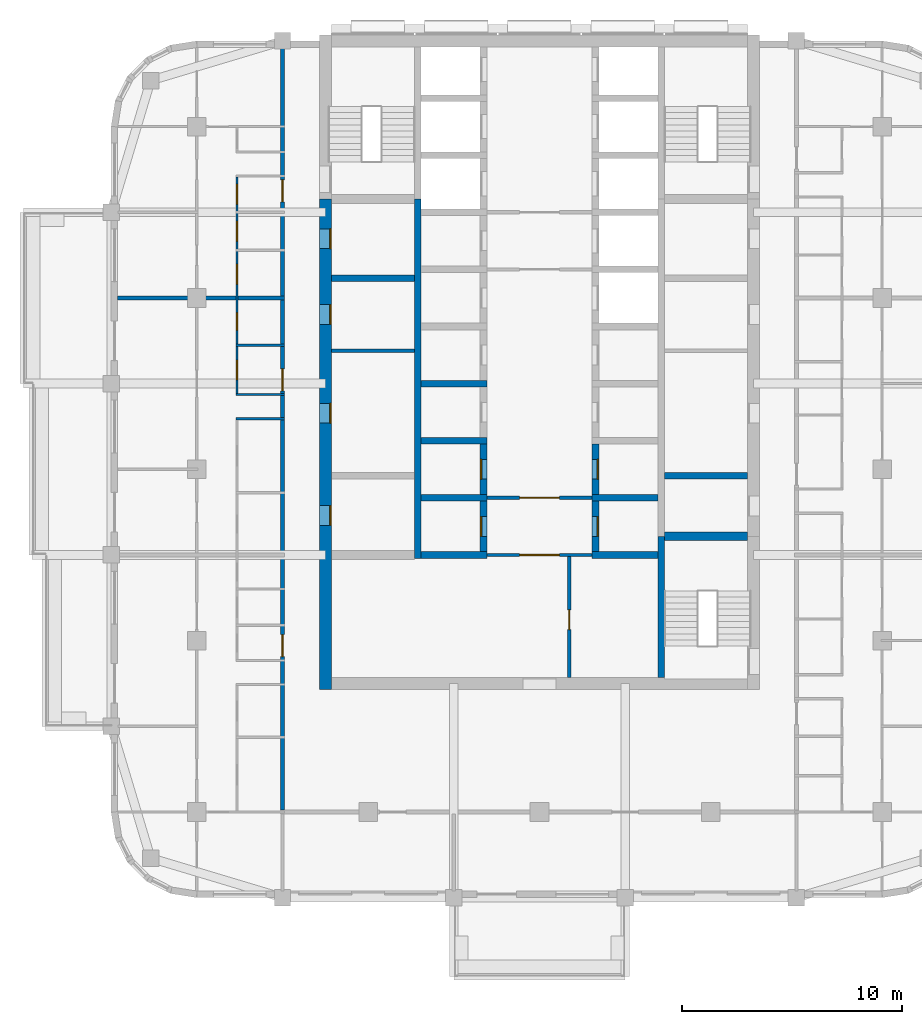
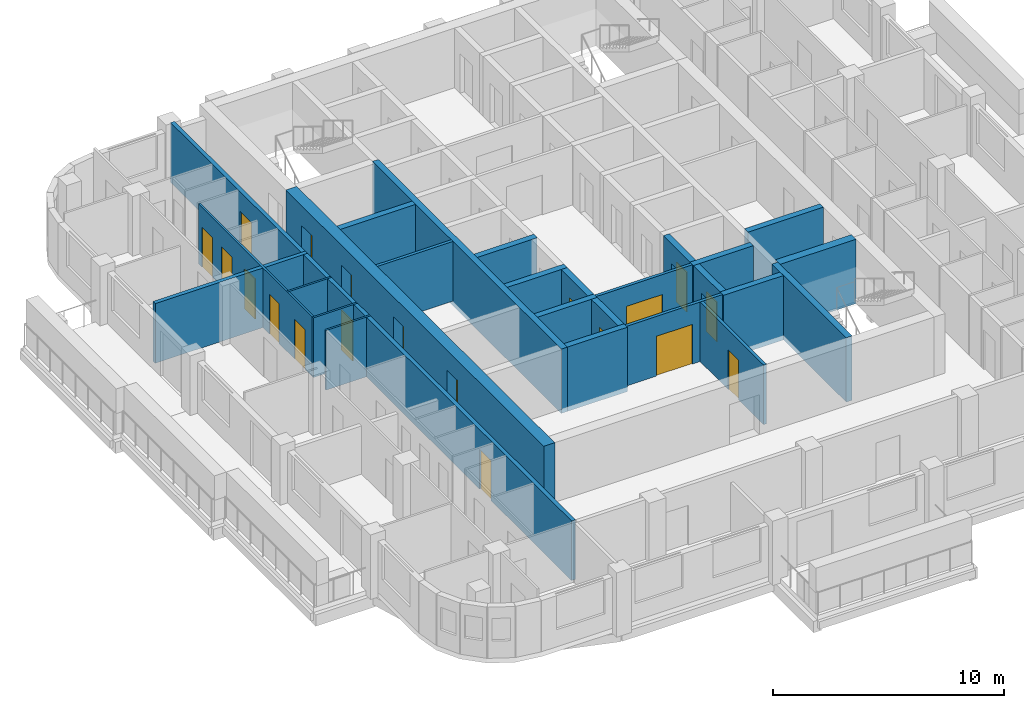
# One storey, part 4 of 13: 26 walls, 19 doors, 19 openings.
"""IFC4 building model written with IfcOpenShell, lengths in metres."""

from ifc_helpers import new_model, si_unit, direction, frame, frame_2d, origin, place, context, subcontext, project, spatial, rectangle, extrude, material, layer, layer_set, type_object, element, fill, save


model = new_model("IFC4")

# Units and contexts
model_context = context("Model", 3, precision=1e-05, world=origin(), true_north=direction((0.0, 1.0)))
body_context = subcontext(model_context, "Body", "Model", "MODEL_VIEW")
ifc_project = project(units=[si_unit("LENGTHUNIT", "METRE"), si_unit("AREAUNIT", "SQUARE_METRE"), si_unit("VOLUMEUNIT", "CUBIC_METRE"), si_unit("PLANEANGLEUNIT", "RADIAN"), si_unit("MASSUNIT", "GRAM", prefix="KILO")], contexts=[model_context])

# Site, building, storey
site_placement = place(None, origin())
site = spatial("IfcSite", under=ifc_project, at=site_placement, CompositionType="ELEMENT")
building_placement = place(site_placement, origin())
building = spatial("IfcBuilding", under=site, at=building_placement, Name="Ludao Terraces", CompositionType="ELEMENT")
storey_placement = place(building_placement, frame((0.0, 0.0, 158.800048828125)))
storey = spatial("IfcBuildingStorey", under=building, at=storey_placement, Name="L43", CompositionType="ELEMENT", Elevation=158.800048828125)

# Wall, openings, doors
ifc_material_1 = material(Name="Concrete C60", Category="concrete")
ifc_layer_1 = layer(ifc_material_1, 0.550048828125)
ifc_layer_set_1 = layer_set([ifc_layer_1], Name="Core wall 550 C60")
wall_type_1 = type_object("IfcWallType", Name="Core wall 550 C60", PredefinedType="SOLIDWALL", material=ifc_layer_set_1)
wall_1_placement = place(storey_placement, frame((75.25, 54.97509765625, -0.25), z_axis=(0.0, 0.0, 1.0), x_axis=(0.0, 1.0, 0.0)))
wall_1 = element("IfcWall", 1, at=wall_1_placement, inside=storey, type_object=wall_type_1, Name="Core wall L43 outer-W", PredefinedType="SOLIDWALL", context=body_context, shape_type="SweptSolid", body=[
    extrude(rectangle(XDim=22.324951171875, YDim=0.550048828125, at=frame_2d((11.16259765625, 0.0))), origin(), (0.0, 0.0, 1.0), 3.39990234375),
])
opening_1_placement = place(wall_1_placement, frame((7.47509765625, 0.0, 0.25)))
opening_1 = element("IfcOpeningElement", 2, at=opening_1_placement, cuts=wall_1, Name="Opening R15-032", PredefinedType="OPENING", context=body_context, shape_type="SweptSolid", body=[
    extrude(rectangle(XDim=0.89990234375, YDim=2.10009765625, at=frame_2d((0.449951171875, 1.050048828125))), frame((0.0, 0.28515625, 0.0), z_axis=(0.0, -1.0, 0.0), x_axis=(1.0, 0.0, 0.0)), (0.0, 0.0, 1.0), 0.570068359375),
])
opening_2_placement = place(wall_1_placement, frame((12.125, 0.0, 0.25)))
opening_2 = element("IfcOpeningElement", 3, at=opening_2_placement, cuts=wall_1, Name="Opening R15-042", PredefinedType="OPENING", context=body_context, shape_type="SweptSolid", body=[
    extrude(rectangle(XDim=0.89990234375, YDim=2.10009765625, at=frame_2d((0.449951171875, 1.050048828125))), frame((0.0, 0.28515625, 0.0), z_axis=(0.0, -1.0, 0.0), x_axis=(1.0, 0.0, 0.0)), (0.0, 0.0, 1.0), 0.570068359375),
])
opening_3_placement = place(wall_1_placement, frame((16.625, 0.0, 0.25)))
opening_3 = element("IfcOpeningElement", 4, at=opening_3_placement, cuts=wall_1, Name="Opening R15-055", PredefinedType="OPENING", context=body_context, shape_type="SweptSolid", body=[
    extrude(rectangle(XDim=0.89990234375, YDim=2.10009765625, at=frame_2d((0.449951171875, 1.050048828125))), frame((0.0, 0.28515625, 0.0), z_axis=(0.0, -1.0, 0.0), x_axis=(1.0, 0.0, 0.0)), (0.0, 0.0, 1.0), 0.570068359375),
])
opening_4_placement = place(wall_1_placement, frame((20.074951171875, 0.0, 0.25)))
opening_4 = element("IfcOpeningElement", 5, at=opening_4_placement, cuts=wall_1, Name="Opening R15-065", PredefinedType="OPENING", context=body_context, shape_type="SweptSolid", body=[
    extrude(rectangle(XDim=0.89990234375, YDim=2.10009765625, at=frame_2d((0.449951171875, 1.050048828125))), frame((0.0, 0.28515625, 0.0), z_axis=(0.0, -1.0, 0.0), x_axis=(1.0, 0.0, 0.0)), (0.0, 0.0, 1.0), 0.570068359375),
])
ifc_material_2 = material(Name="Steel Q235", Category="steel")
door_type_1 = type_object("IfcDoorType", Name="INT Riser door 900", OperationType="SINGLE_SWING_LEFT", PredefinedType="DOOR", material=ifc_material_2)
door_1_placement = place(opening_1_placement, origin())
door_1 = element("IfcDoor", 6, at=door_1_placement, inside=storey, type_object=door_type_1, Name="DOOR 032", OperationType="SINGLE_SWING_RIGHT", OverallHeight=2.10009765625, OverallWidth=0.89990234375, PredefinedType="DOOR", context=body_context, shape_type="SweptSolid", body=[
    extrude(rectangle(XDim=0.89990234375, YDim=2.10009765625, at=frame_2d((0.449951171875, 1.050048828125))), frame((0.0, -0.2099609375, 0.0), z_axis=(0.0, -1.0, 0.0), x_axis=(1.0, 0.0, 0.0)), (0.0, 0.0, 1.0), 0.050048828125),
])
fill(opening_1, door_1)
door_2_placement = place(opening_4_placement, origin())
door_2 = element("IfcDoor", 7, at=door_2_placement, inside=storey, type_object=door_type_1, Name="DOOR 065", OperationType="SINGLE_SWING_LEFT", OverallHeight=2.10009765625, OverallWidth=0.89990234375, PredefinedType="DOOR", context=body_context, shape_type="SweptSolid", body=[
    extrude(rectangle(XDim=0.89990234375, YDim=2.10009765625, at=frame_2d((0.449951171875, 1.050048828125))), frame((0.0, -0.2099609375, 0.0), z_axis=(0.0, -1.0, 0.0), x_axis=(1.0, 0.0, 0.0)), (0.0, 0.0, 1.0), 0.050048828125),
])
fill(opening_4, door_2)
ifc_material_3 = material(Name="Timber door leaf", Category="wood")
door_type_2 = type_object("IfcDoorType", Name="INT Room door 900", OperationType="SINGLE_SWING_LEFT", PredefinedType="DOOR", material=ifc_material_3)
door_3_placement = place(opening_2_placement, origin())
door_3 = element("IfcDoor", 8, at=door_3_placement, inside=storey, type_object=door_type_2, Name="DOOR 042", OperationType="SINGLE_SWING_RIGHT", OverallHeight=2.10009765625, OverallWidth=0.89990234375, PredefinedType="DOOR", context=body_context, shape_type="SweptSolid", body=[
    extrude(rectangle(XDim=0.89990234375, YDim=2.10009765625, at=frame_2d((0.449951171875, 1.050048828125))), frame((0.0, -0.2099609375, 0.0), z_axis=(0.0, -1.0, 0.0), x_axis=(1.0, 0.0, 0.0)), (0.0, 0.0, 1.0), 0.050048828125),
])
fill(opening_2, door_3)
door_4_placement = place(opening_3_placement, origin())
door_4 = element("IfcDoor", 9, at=door_4_placement, inside=storey, type_object=door_type_2, Name="DOOR 055", OperationType="SINGLE_SWING_LEFT", OverallHeight=2.10009765625, OverallWidth=0.89990234375, PredefinedType="DOOR", context=body_context, shape_type="SweptSolid", body=[
    extrude(rectangle(XDim=0.89990234375, YDim=2.10009765625, at=frame_2d((0.449951171875, 1.050048828125))), frame((0.0, -0.2099609375, 0.0), z_axis=(0.0, -1.0, 0.0), x_axis=(1.0, 0.0, 0.0)), (0.0, 0.0, 1.0), 0.050048828125),
])
fill(opening_3, door_4)

# Wall, opening, door
ifc_material_4 = material(Name="Fire-rated gypsum plasterboard", Category="gypsum")
ifc_layer_2 = layer(ifc_material_4, 0.012451171875, Category="gypsum")
ifc_material_5 = material(Name="Mineral wool")
ifc_layer_3 = layer(ifc_material_5, 0.10009765625, Name="insulation")
ifc_layer_4 = layer(ifc_material_2, 0.02490234375, Name="stud")
ifc_layer_5 = layer(ifc_material_4, 0.012451171875, Category="gypsum")
ifc_layer_set_2 = layer_set([ifc_layer_2, ifc_layer_3, ifc_layer_4, ifc_layer_5], Name="INT Core partition 150")
wall_type_2 = type_object("IfcWallType", Name="INT Core partition 150", PredefinedType="PARTITIONING", material=ifc_layer_set_2)
wall_2_placement = place(storey_placement, frame((82.60009765625, 61.10009765625, 0.0), z_axis=(0.0, 0.0, 1.0), x_axis=(1.0, 0.0, 0.0)))
wall_2 = element("IfcWall", 10, at=wall_2_placement, inside=storey, type_object=wall_type_2, Name="PW-L43-PW017", PredefinedType="PARTITIONING", context=body_context, shape_type="SweptSolid", body=[
    extrude(rectangle(XDim=4.800048828125, YDim=0.14990234375, at=frame_2d((2.39990234375, 0.0))), origin(), (0.0, 0.0, 1.0), 3.14990234375),
])
opening_5_placement = place(wall_2_placement, frame((1.5, 0.0, 0.0)))
opening_5 = element("IfcOpeningElement", 11, at=opening_5_placement, cuts=wall_2, Name="Opening R15-027", PredefinedType="OPENING", context=body_context, shape_type="SweptSolid", body=[
    extrude(rectangle(XDim=1.800048828125, YDim=2.10009765625, at=frame_2d((0.89990234375, 1.050048828125))), frame((0.0, 0.0849609375, 0.0), z_axis=(0.0, -1.0, 0.0), x_axis=(1.0, 0.0, 0.0)), (0.0, 0.0, 1.0), 0.169921875),
])
door_type_3 = type_object("IfcDoorType", Name="INT Fire lobby door 1800", OperationType="DOUBLE_DOOR_SINGLE_SWING", PredefinedType="DOOR", material=ifc_material_2)
door_5_placement = place(opening_5_placement, origin())
door_5 = element("IfcDoor", 12, at=door_5_placement, inside=storey, type_object=door_type_3, Name="DOOR 027", OperationType="DOUBLE_DOOR_SINGLE_SWING", OverallHeight=2.10009765625, OverallWidth=1.800048828125, PredefinedType="DOOR", context=body_context, shape_type="SweptSolid", body=[
    extrude(rectangle(XDim=1.800048828125, YDim=2.10009765625, at=frame_2d((0.89990234375, 1.050048828125))), frame((0.0, 0.02490234375, 0.0), z_axis=(0.0, -1.0, 0.0), x_axis=(1.0, 0.0, 0.0)), (0.0, 0.0, 1.0), 0.050048828125),
])
fill(opening_5, door_5)

wall_3_placement = place(storey_placement, frame((82.60009765625, 63.699951171875, 0.0), z_axis=(0.0, 0.0, 1.0), x_axis=(1.0, 0.0, 0.0)))
wall_3 = element("IfcWall", 13, at=wall_3_placement, inside=storey, type_object=wall_type_2, Name="PW-L43-PW020", PredefinedType="PARTITIONING", context=body_context, shape_type="SweptSolid", body=[
    extrude(rectangle(XDim=4.800048828125, YDim=0.14990234375, at=frame_2d((2.39990234375, 0.0))), origin(), (0.0, 0.0, 1.0), 3.14990234375),
])
opening_6_placement = place(wall_3_placement, frame((1.5, 0.0, 0.0)))
opening_6 = element("IfcOpeningElement", 14, at=opening_6_placement, cuts=wall_3, Name="Opening R15-035", PredefinedType="OPENING", context=body_context, shape_type="SweptSolid", body=[
    extrude(rectangle(XDim=1.800048828125, YDim=2.10009765625, at=frame_2d((0.89990234375, 1.050048828125))), frame((0.0, 0.0849609375, 0.0), z_axis=(0.0, -1.0, 0.0), x_axis=(1.0, 0.0, 0.0)), (0.0, 0.0, 1.0), 0.169921875),
])
door_6_placement = place(opening_6_placement, origin())
door_6 = element("IfcDoor", 15, at=door_6_placement, inside=storey, type_object=door_type_3, Name="DOOR 035", OperationType="DOUBLE_DOOR_SINGLE_SWING", OverallHeight=2.10009765625, OverallWidth=1.800048828125, PredefinedType="DOOR", context=body_context, shape_type="SweptSolid", body=[
    extrude(rectangle(XDim=1.800048828125, YDim=2.10009765625, at=frame_2d((0.89990234375, 1.050048828125))), frame((0.0, 0.02490234375, 0.0), z_axis=(0.0, -1.0, 0.0), x_axis=(1.0, 0.0, 0.0)), (0.0, 0.0, 1.0), 0.050048828125),
])
fill(opening_6, door_6)

# Wall
wall_4_placement = place(storey_placement, frame((75.525146484375, 70.39990234375, 0.0), z_axis=(0.0, 0.0, 1.0), x_axis=(1.0, 0.0, 0.0)))
element("IfcWall", 16, at=wall_4_placement, inside=storey, type_object=wall_type_2, Name="PW-L43-PW029", PredefinedType="PARTITIONING", context=body_context, shape_type="SweptSolid", body=[
    extrude(rectangle(XDim=3.77490234375, YDim=0.14990234375, at=frame_2d((1.887451171875, 0.0))), origin(), (0.0, 0.0, 1.0), 3.14990234375),
])

# Wall, opening, door
wall_5_placement = place(storey_placement, frame((86.35009765625, 55.525146484375, 0.0), z_axis=(0.0, 0.0, 1.0), x_axis=(0.0, 1.0, 0.0)))
wall_5 = element("IfcWall", 17, at=wall_5_placement, inside=storey, type_object=wall_type_2, Name="PW-L43-PW054", PredefinedType="PARTITIONING", context=body_context, shape_type="SweptSolid", body=[
    extrude(rectangle(XDim=5.5, YDim=0.14990234375, at=frame_2d((2.75, 0.0))), origin(), (0.0, 0.0, 1.0), 3.14990234375),
])
opening_7_placement = place(wall_5_placement, frame((2.175048828125, 0.0, 0.0)))
opening_7 = element("IfcOpeningElement", 18, at=opening_7_placement, cuts=wall_5, Name="Opening R15-021", PredefinedType="OPENING", context=body_context, shape_type="SweptSolid", body=[
    extrude(rectangle(XDim=0.89990234375, YDim=2.10009765625, at=frame_2d((0.449951171875, 1.050048828125))), frame((0.0, 0.0849609375, 0.0), z_axis=(0.0, -1.0, 0.0), x_axis=(1.0, 0.0, 0.0)), (0.0, 0.0, 1.0), 0.169921875),
])
door_7_placement = place(opening_7_placement, origin())
door_7 = element("IfcDoor", 19, at=door_7_placement, inside=storey, type_object=door_type_2, Name="DOOR 021", OperationType="SINGLE_SWING_RIGHT", OverallHeight=2.10009765625, OverallWidth=0.89990234375, PredefinedType="DOOR", context=body_context, shape_type="SweptSolid", body=[
    extrude(rectangle(XDim=0.89990234375, YDim=2.10009765625, at=frame_2d((0.449951171875, 1.050048828125))), frame((0.0, 0.02490234375, 0.0), z_axis=(0.0, -1.0, 0.0), x_axis=(1.0, 0.0, 0.0)), (0.0, 0.0, 1.0), 0.050048828125),
])
fill(opening_7, door_7)

# Wall, openings, doors
ifc_material_6 = material(Name="Autoclaved aerated concrete block B06 A3.5", Category="concrete")
ifc_layer_6 = layer(ifc_material_6, 0.199951171875)
ifc_layer_set_3 = layer_set([ifc_layer_6], Name="INT Entrance wall 200")
wall_type_3 = type_object("IfcWallType", Name="INT Entrance wall 200", PredefinedType="PARTITIONING", material=ifc_layer_set_3)
wall_6_placement = place(storey_placement, frame((73.300048828125, 49.5, 0.0), z_axis=(0.0, 0.0, 1.0), x_axis=(0.0, 1.0, 0.0)))
wall_6 = element("IfcWall", 20, at=wall_6_placement, inside=storey, type_object=wall_type_3, Name="PW-L43-PW052", PredefinedType="PARTITIONING", context=body_context, shape_type="SweptSolid", body=[
    extrude(rectangle(XDim=34.7001953125, YDim=0.199951171875, at=frame_2d((17.35009765625, 0.0))), origin(), (0.0, 0.0, 1.0), 3.14990234375),
])
opening_8_placement = place(wall_6_placement, frame((6.97509765625, 0.0, 0.0)))
opening_8 = element("IfcOpeningElement", 21, at=opening_8_placement, cuts=wall_6, Name="Opening R15-019", PredefinedType="OPENING", context=body_context, shape_type="SweptSolid", body=[
    extrude(rectangle(XDim=1.0, YDim=2.10009765625, at=frame_2d((0.5, 1.050048828125))), frame((0.0, 0.10986328125, 0.0), z_axis=(0.0, -1.0, 0.0), x_axis=(1.0, 0.0, 0.0)), (0.0, 0.0, 1.0), 0.219970703125),
])
opening_9_placement = place(wall_6_placement, frame((19.0751953125, 0.0, 0.0)))
opening_9 = element("IfcOpeningElement", 22, at=opening_9_placement, cuts=wall_6, Name="Opening R15-048", PredefinedType="OPENING", context=body_context, shape_type="SweptSolid", body=[
    extrude(rectangle(XDim=1.0, YDim=2.10009765625, at=frame_2d((0.5, 1.050048828125))), frame((0.0, 0.10986328125, 0.0), z_axis=(0.0, -1.0, 0.0), x_axis=(1.0, 0.0, 0.0)), (0.0, 0.0, 1.0), 0.219970703125),
])
opening_10_placement = place(wall_6_placement, frame((27.675048828125, 0.0, 0.0)))
opening_10 = element("IfcOpeningElement", 23, at=opening_10_placement, cuts=wall_6, Name="Opening R15-072", PredefinedType="OPENING", context=body_context, shape_type="SweptSolid", body=[
    extrude(rectangle(XDim=1.0, YDim=2.10009765625, at=frame_2d((0.5, 1.050048828125))), frame((0.0, 0.10986328125, 0.0), z_axis=(0.0, -1.0, 0.0), x_axis=(1.0, 0.0, 0.0)), (0.0, 0.0, 1.0), 0.219970703125),
])
door_type_4 = type_object("IfcDoorType", Name="INT Flat entrance door 1000", OperationType="SINGLE_SWING_LEFT", PredefinedType="DOOR", material=ifc_material_2)
door_8_placement = place(opening_8_placement, origin())
door_8 = element("IfcDoor", 24, at=door_8_placement, inside=storey, type_object=door_type_4, Name="DOOR 019", OperationType="SINGLE_SWING_RIGHT", OverallHeight=2.10009765625, OverallWidth=1.0, PredefinedType="DOOR", context=body_context, shape_type="SweptSolid", body=[
    extrude(rectangle(XDim=1.0, YDim=2.10009765625, at=frame_2d((0.5, 1.050048828125))), frame((0.0, 0.02490234375, 0.0), z_axis=(0.0, -1.0, 0.0), x_axis=(1.0, 0.0, 0.0)), (0.0, 0.0, 1.0), 0.050048828125),
])
fill(opening_8, door_8)
door_9_placement = place(opening_9_placement, origin())
door_9 = element("IfcDoor", 25, at=door_9_placement, inside=storey, type_object=door_type_4, Name="DOOR 048", OperationType="SINGLE_SWING_RIGHT", OverallHeight=2.10009765625, OverallWidth=1.0, PredefinedType="DOOR", context=body_context, shape_type="SweptSolid", body=[
    extrude(rectangle(XDim=1.0, YDim=2.10009765625, at=frame_2d((0.5, 1.050048828125))), frame((0.0, 0.02490234375, 0.0), z_axis=(0.0, -1.0, 0.0), x_axis=(1.0, 0.0, 0.0)), (0.0, 0.0, 1.0), 0.050048828125),
])
fill(opening_9, door_9)
door_10_placement = place(opening_10_placement, origin())
door_10 = element("IfcDoor", 26, at=door_10_placement, inside=storey, type_object=door_type_4, Name="DOOR 072", OperationType="SINGLE_SWING_LEFT", OverallHeight=2.10009765625, OverallWidth=1.0, PredefinedType="DOOR", context=body_context, shape_type="SweptSolid", body=[
    extrude(rectangle(XDim=1.0, YDim=2.10009765625, at=frame_2d((0.5, 1.050048828125))), frame((0.0, 0.02490234375, 0.0), z_axis=(0.0, -1.0, 0.0), x_axis=(1.0, 0.0, 0.0)), (0.0, 0.0, 1.0), 0.050048828125),
])
fill(opening_10, door_10)

# Walls
ifc_material_7 = material(Name="Gypsum plasterboard", Category="gypsum")
ifc_layer_7 = layer(ifc_material_7, 0.012451171875, Category="gypsum")
ifc_layer_8 = layer(ifc_material_5, 0.06005859375, Name="insulation")
ifc_layer_9 = layer(ifc_material_2, 0.014892578125, Name="stud")
ifc_layer_10 = layer(ifc_material_7, 0.012451171875, Category="gypsum")
ifc_layer_set_4 = layer_set([ifc_layer_7, ifc_layer_8, ifc_layer_9, ifc_layer_10], Name="INT Partition 100")
wall_type_4 = type_object("IfcWallType", Name="INT Partition 100", PredefinedType="PARTITIONING", material=ifc_layer_set_4)
for number, where, z_axis, x_axis, name in (
    (27, (71.18017578125, 67.300048828125, 0.0), (0.0, 0.0, 1.0), (1.0, 0.0, 0.0), "PW-L43-PW024"),
    (28, (71.18017578125, 68.39990234375, 0.0), (0.0, 0.0, 1.0), (1.0, 0.0, 0.0), "PW-L43-PW026"),
    (29, (71.18017578125, 70.64990234375, 0.0), (0.0, 0.0, 1.0), (1.0, 0.0, 0.0), "PW-L43-PW031"),
):
    element("IfcWall", number, at=place(storey_placement, frame(where, z_axis=z_axis, x_axis=x_axis)), inside=storey, type_object=wall_type_4, Name=name, PredefinedType="PARTITIONING", context=body_context, shape_type="SweptSolid", body=[
        extrude(rectangle(XDim=2.219970703125, YDim=0.10009765625, at=frame_2d((1.10986328125, 0.0))), origin(), (0.0, 0.0, 1.0), 3.14990234375),
    ])

# Wall, openings, doors
wall_7_placement = place(storey_placement, frame((71.22998046875, 68.4501953125, 0.0), z_axis=(0.0, 0.0, 1.0), x_axis=(0.0, 1.0, 0.0)))
wall_7 = element("IfcWall", 30, at=wall_7_placement, inside=storey, type_object=wall_type_4, Name="PW-L43-PW049", PredefinedType="PARTITIONING", context=body_context, shape_type="SweptSolid", body=[
    extrude(rectangle(XDim=9.849853515625, YDim=0.10009765625, at=frame_2d((4.9248046875, 0.0))), origin(), (0.0, 0.0, 1.0), 3.14990234375),
])
opening_11_placement = place(wall_7_placement, frame((0.625, 0.0, 0.0)))
opening_11 = element("IfcOpeningElement", 31, at=opening_11_placement, cuts=wall_7, Name="Opening R15-049", PredefinedType="OPENING", context=body_context, shape_type="SweptSolid", body=[
    extrude(rectangle(XDim=0.89990234375, YDim=2.10009765625, at=frame_2d((0.449951171875, 1.050048828125))), frame((0.0, 0.06005859375, 0.0), z_axis=(0.0, -1.0, 0.0), x_axis=(1.0, 0.0, 0.0)), (0.0, 0.0, 1.0), 0.1201171875),
])
opening_12_placement = place(wall_7_placement, frame((2.875, 0.0, 0.0)))
opening_12 = element("IfcOpeningElement", 32, at=opening_12_placement, cuts=wall_7, Name="Opening R15-054", PredefinedType="OPENING", context=body_context, shape_type="SweptSolid", body=[
    extrude(rectangle(XDim=0.800048828125, YDim=2.10009765625, at=frame_2d((0.39990234375, 1.050048828125))), frame((0.0, 0.06005859375, 0.0), z_axis=(0.0, -1.0, 0.0), x_axis=(1.0, 0.0, 0.0)), (0.0, 0.0, 1.0), 0.1201171875),
])
opening_13_placement = place(wall_7_placement, frame((4.98486328125, 0.0, 0.0)))
opening_13 = element("IfcOpeningElement", 33, at=opening_13_placement, cuts=wall_7, Name="Opening R15-060", PredefinedType="OPENING", context=body_context, shape_type="SweptSolid", body=[
    extrude(rectangle(XDim=0.89990234375, YDim=2.10009765625, at=frame_2d((0.449951171875, 1.050048828125))), frame((0.0, 0.06005859375, 0.0), z_axis=(0.0, -1.0, 0.0), x_axis=(1.0, 0.0, 0.0)), (0.0, 0.0, 1.0), 0.1201171875),
])
opening_14_placement = place(wall_7_placement, frame((6.934814453125, 0.0, 0.0)))
opening_14 = element("IfcOpeningElement", 34, at=opening_14_placement, cuts=wall_7, Name="Opening R15-067", PredefinedType="OPENING", context=body_context, shape_type="SweptSolid", body=[
    extrude(rectangle(XDim=0.89990234375, YDim=2.10009765625, at=frame_2d((0.449951171875, 1.050048828125))), frame((0.0, 0.06005859375, 0.0), z_axis=(0.0, -1.0, 0.0), x_axis=(1.0, 0.0, 0.0)), (0.0, 0.0, 1.0), 0.1201171875),
])
opening_15_placement = place(wall_7_placement, frame((8.625, 0.0, 0.0)))
opening_15 = element("IfcOpeningElement", 35, at=opening_15_placement, cuts=wall_7, Name="Opening R15-071", PredefinedType="OPENING", context=body_context, shape_type="SweptSolid", body=[
    extrude(rectangle(XDim=0.89990234375, YDim=2.10009765625, at=frame_2d((0.449951171875, 1.050048828125))), frame((0.0, 0.06005859375, 0.0), z_axis=(0.0, -1.0, 0.0), x_axis=(1.0, 0.0, 0.0)), (0.0, 0.0, 1.0), 0.1201171875),
])
door_type_5 = type_object("IfcDoorType", Name="INT Bathroom door 900", OperationType="SINGLE_SWING_LEFT", PredefinedType="DOOR", material=ifc_material_3)
door_11_placement = place(opening_11_placement, origin())
door_11 = element("IfcDoor", 36, at=door_11_placement, inside=storey, type_object=door_type_5, Name="DOOR 049", OperationType="SINGLE_SWING_RIGHT", OverallHeight=2.10009765625, OverallWidth=0.89990234375, PredefinedType="DOOR", context=body_context, shape_type="SweptSolid", body=[
    extrude(rectangle(XDim=0.89990234375, YDim=2.10009765625, at=frame_2d((0.449951171875, 1.050048828125))), frame((0.0, 0.02490234375, 0.0), z_axis=(0.0, -1.0, 0.0), x_axis=(1.0, 0.0, 0.0)), (0.0, 0.0, 1.0), 0.050048828125),
])
fill(opening_11, door_11)
door_12_placement = place(opening_14_placement, origin())
door_12 = element("IfcDoor", 37, at=door_12_placement, inside=storey, type_object=door_type_5, Name="DOOR 067", OperationType="SINGLE_SWING_LEFT", OverallHeight=2.10009765625, OverallWidth=0.89990234375, PredefinedType="DOOR", context=body_context, shape_type="SweptSolid", body=[
    extrude(rectangle(XDim=0.89990234375, YDim=2.10009765625, at=frame_2d((0.449951171875, 1.050048828125))), frame((0.0, 0.02490234375, 0.0), z_axis=(0.0, -1.0, 0.0), x_axis=(1.0, 0.0, 0.0)), (0.0, 0.0, 1.0), 0.050048828125),
])
fill(opening_14, door_12)
door_13_placement = place(opening_15_placement, origin())
door_13 = element("IfcDoor", 38, at=door_13_placement, inside=storey, type_object=door_type_5, Name="DOOR 071", OperationType="SINGLE_SWING_LEFT", OverallHeight=2.10009765625, OverallWidth=0.89990234375, PredefinedType="DOOR", context=body_context, shape_type="SweptSolid", body=[
    extrude(rectangle(XDim=0.89990234375, YDim=2.10009765625, at=frame_2d((0.449951171875, 1.050048828125))), frame((0.0, 0.02490234375, 0.0), z_axis=(0.0, -1.0, 0.0), x_axis=(1.0, 0.0, 0.0)), (0.0, 0.0, 1.0), 0.050048828125),
])
fill(opening_15, door_13)
door_14_placement = place(opening_13_placement, origin())
door_14 = element("IfcDoor", 39, at=door_14_placement, inside=storey, type_object=door_type_2, Name="DOOR 060", OperationType="SINGLE_SWING_RIGHT", OverallHeight=2.10009765625, OverallWidth=0.89990234375, PredefinedType="DOOR", context=body_context, shape_type="SweptSolid", body=[
    extrude(rectangle(XDim=0.89990234375, YDim=2.10009765625, at=frame_2d((0.449951171875, 1.050048828125))), frame((0.0, 0.02490234375, 0.0), z_axis=(0.0, -1.0, 0.0), x_axis=(1.0, 0.0, 0.0)), (0.0, 0.0, 1.0), 0.050048828125),
])
fill(opening_13, door_14)
door_type_6 = type_object("IfcDoorType", Name="INT Store door 800", OperationType="SINGLE_SWING_LEFT", PredefinedType="DOOR", material=ifc_material_3)
door_15_placement = place(opening_12_placement, origin())
door_15 = element("IfcDoor", 40, at=door_15_placement, inside=storey, type_object=door_type_6, Name="DOOR 054", OperationType="SINGLE_SWING_LEFT", OverallHeight=2.10009765625, OverallWidth=0.800048828125, PredefinedType="DOOR", context=body_context, shape_type="SweptSolid", body=[
    extrude(rectangle(XDim=0.800048828125, YDim=2.10009765625, at=frame_2d((0.39990234375, 1.050048828125))), frame((0.0, 0.02490234375, 0.0), z_axis=(0.0, -1.0, 0.0), x_axis=(1.0, 0.0, 0.0)), (0.0, 0.0, 1.0), 0.050048828125),
])
fill(opening_12, door_15)

# Walls
ifc_layer_11 = layer(ifc_material_6, 0.199951171875)
ifc_layer_set_5 = layer_set([ifc_layer_11], Name="INT Party wall 200")
wall_type_5 = type_object("IfcWallType", Name="INT Party wall 200", PredefinedType="PARTITIONING", material=ifc_layer_set_5)
wall_8_placement = place(storey_placement, frame((65.800048828125, 72.800048828125, 0.0), z_axis=(0.0, 0.0, 1.0), x_axis=(1.0, 0.0, 0.0)))
element("IfcWall", 41, at=wall_8_placement, inside=storey, type_object=wall_type_5, Name="PW-L43-PW032", PredefinedType="PARTITIONING", context=body_context, shape_type="SweptSolid", body=[
    extrude(rectangle(XDim=7.60009765625, YDim=0.199951171875, at=frame_2d((3.800048828125, 0.0))), origin(), (0.0, 0.0, 1.0), 3.14990234375),
])
ifc_material_8 = material(Name="Concrete C55", Category="concrete")
ifc_layer_12 = layer(ifc_material_8, 0.300048828125)
ifc_layer_set_6 = layer_set([ifc_layer_12], Name="Shaft wall 300 C55")
wall_type_6 = type_object("IfcWallType", Name="Shaft wall 300 C55", PredefinedType="SOLIDWALL", material=ifc_layer_set_6)
wall_9_placement = place(storey_placement, frame((79.449951171875, 60.949951171875, -0.25), z_axis=(0.0, 0.0, 1.0), x_axis=(0.0, 1.0, 0.0)))
element("IfcWall", 42, at=wall_9_placement, inside=storey, type_object=wall_type_6, Name="Core wall L43 back-W", PredefinedType="SOLIDWALL", context=body_context, shape_type="SweptSolid", body=[
    extrude(rectangle(XDim=16.35009765625, YDim=0.300048828125, at=frame_2d((8.175048828125, 0.0))), origin(), (0.0, 0.0, 1.0), 3.39990234375),
])
wall_10_placement = place(storey_placement, frame((90.550048828125, 55.52490234375, -0.25), z_axis=(0.0, 0.0, 1.0), x_axis=(0.0, 1.0, 0.0)))
element("IfcWall", 43, at=wall_10_placement, inside=storey, type_object=wall_type_6, Name="Core wall L43 back-E-S3", PredefinedType="SOLIDWALL", context=body_context, shape_type="SweptSolid", body=[
    extrude(rectangle(XDim=6.425048828125, YDim=0.300048828125, at=frame_2d((3.21240234375, 0.0))), origin(), (0.0, 0.0, 1.0), 3.39990234375),
])
wall_11_placement = place(storey_placement, frame((79.60009765625, 61.10009765625, -0.25), z_axis=(0.0, 0.0, 1.0), x_axis=(1.0, 0.0, 0.0)))
element("IfcWall", 44, at=wall_11_placement, inside=storey, type_object=wall_type_6, Name="Core wall L43 div-W1", PredefinedType="SOLIDWALL", context=body_context, shape_type="SweptSolid", body=[
    extrude(rectangle(XDim=3.0, YDim=0.300048828125, at=frame_2d((1.5, 0.0))), origin(), (0.0, 0.0, 1.0), 3.39990234375),
])

# Wall, opening, door
wall_12_placement = place(storey_placement, frame((82.449951171875, 61.25, -0.25), z_axis=(0.0, 0.0, 1.0), x_axis=(0.0, 1.0, 0.0)))
wall_12 = element("IfcWall", 45, at=wall_12_placement, inside=storey, type_object=wall_type_6, Name="Core wall L43 front-W1", PredefinedType="SOLIDWALL", context=body_context, shape_type="SweptSolid", body=[
    extrude(rectangle(XDim=2.300048828125, YDim=0.300048828125, at=frame_2d((1.14990234375, 0.0))), origin(), (0.0, 0.0, 1.0), 3.39990234375),
])
opening_16_placement = place(wall_12_placement, frame((0.699951171875, 0.0, 0.25)))
opening_16 = element("IfcOpeningElement", 46, at=opening_16_placement, cuts=wall_12, Name="Opening R15-029", PredefinedType="OPENING", context=body_context, shape_type="SweptSolid", body=[
    extrude(rectangle(XDim=0.89990234375, YDim=2.10009765625, at=frame_2d((0.449951171875, 1.050048828125))), frame((0.0, 0.16015625, 0.0), z_axis=(0.0, -1.0, 0.0), x_axis=(1.0, 0.0, 0.0)), (0.0, 0.0, 1.0), 0.320068359375),
])
door_16_placement = place(opening_16_placement, origin())
door_16 = element("IfcDoor", 47, at=door_16_placement, inside=storey, type_object=door_type_2, Name="DOOR 029", OperationType="SINGLE_SWING_LEFT", OverallHeight=2.10009765625, OverallWidth=0.89990234375, PredefinedType="DOOR", context=body_context, shape_type="SweptSolid", body=[
    extrude(rectangle(XDim=0.89990234375, YDim=2.10009765625, at=frame_2d((0.449951171875, 1.050048828125))), frame((0.0, 0.13525390625, 0.0), z_axis=(0.0, -1.0, 0.0), x_axis=(1.0, 0.0, 0.0)), (0.0, 0.0, 1.0), 0.050048828125),
])
fill(opening_16, door_16)

# Wall
wall_13_placement = place(storey_placement, frame((79.60009765625, 63.699951171875, -0.25), z_axis=(0.0, 0.0, 1.0), x_axis=(1.0, 0.0, 0.0)))
element("IfcWall", 48, at=wall_13_placement, inside=storey, type_object=wall_type_6, Name="Core wall L43 div-W2", PredefinedType="SOLIDWALL", context=body_context, shape_type="SweptSolid", body=[
    extrude(rectangle(XDim=3.0, YDim=0.300048828125, at=frame_2d((1.5, 0.0))), origin(), (0.0, 0.0, 1.0), 3.39990234375),
])

# Wall, opening, door
wall_14_placement = place(storey_placement, frame((82.449951171875, 63.85009765625, -0.25), z_axis=(0.0, 0.0, 1.0), x_axis=(0.0, 1.0, 0.0)))
wall_14 = element("IfcWall", 49, at=wall_14_placement, inside=storey, type_object=wall_type_6, Name="Core wall L43 front-W2", PredefinedType="SOLIDWALL", context=body_context, shape_type="SweptSolid", body=[
    extrude(rectangle(XDim=2.2998046875, YDim=0.300048828125, at=frame_2d((1.14990234375, 0.0))), origin(), (0.0, 0.0, 1.0), 3.39990234375),
])
opening_17_placement = place(wall_14_placement, frame((0.699951171875, 0.0, 0.25)))
opening_17 = element("IfcOpeningElement", 50, at=opening_17_placement, cuts=wall_14, Name="Opening R15-037", PredefinedType="OPENING", context=body_context, shape_type="SweptSolid", body=[
    extrude(rectangle(XDim=0.89990234375, YDim=2.10009765625, at=frame_2d((0.449951171875, 1.050048828125))), frame((0.0, 0.16015625, 0.0), z_axis=(0.0, -1.0, 0.0), x_axis=(1.0, 0.0, 0.0)), (0.0, 0.0, 1.0), 0.320068359375),
])
door_17_placement = place(opening_17_placement, origin())
door_17 = element("IfcDoor", 51, at=door_17_placement, inside=storey, type_object=door_type_2, Name="DOOR 037", OperationType="SINGLE_SWING_LEFT", OverallHeight=2.10009765625, OverallWidth=0.89990234375, PredefinedType="DOOR", context=body_context, shape_type="SweptSolid", body=[
    extrude(rectangle(XDim=0.89990234375, YDim=2.10009765625, at=frame_2d((0.449951171875, 1.050048828125))), frame((0.0, 0.13525390625, 0.0), z_axis=(0.0, -1.0, 0.0), x_axis=(1.0, 0.0, 0.0)), (0.0, 0.0, 1.0), 0.050048828125),
])
fill(opening_17, door_17)

# Walls
for number, where, z_axis, x_axis, name in (
    (52, (79.60009765625, 66.300048828125, -0.25), (0.0, 0.0, 1.0), (1.0, 0.0, 0.0), "Core wall L43 div-W3"),
    (53, (79.60009765625, 68.89990234375, -0.25), (0.0, 0.0, 1.0), (1.0, 0.0, 0.0), "Core wall L43 div-W4"),
    (54, (87.39990234375, 61.10009765625, -0.25), (0.0, 0.0, 1.0), (1.0, 0.0, 0.0), "Core wall L43 div-E1"),
):
    element("IfcWall", number, at=place(storey_placement, frame(where, z_axis=z_axis, x_axis=x_axis)), inside=storey, type_object=wall_type_6, Name=name, PredefinedType="SOLIDWALL", context=body_context, shape_type="SweptSolid", body=[
        extrude(rectangle(XDim=3.0, YDim=0.300048828125, at=frame_2d((1.5, 0.0))), origin(), (0.0, 0.0, 1.0), 3.39990234375),
    ])

# Wall, opening, door
wall_15_placement = place(storey_placement, frame((87.550048828125, 61.25, -0.25), z_axis=(0.0, 0.0, 1.0), x_axis=(0.0, 1.0, 0.0)))
wall_15 = element("IfcWall", 55, at=wall_15_placement, inside=storey, type_object=wall_type_6, Name="Core wall L43 front-E1", PredefinedType="SOLIDWALL", context=body_context, shape_type="SweptSolid", body=[
    extrude(rectangle(XDim=2.300048828125, YDim=0.300048828125, at=frame_2d((1.14990234375, 0.0))), origin(), (0.0, 0.0, 1.0), 3.39990234375),
])
opening_18_placement = place(wall_15_placement, frame((0.699951171875, 0.0, 0.25)))
opening_18 = element("IfcOpeningElement", 56, at=opening_18_placement, cuts=wall_15, Name="Opening R15-030", PredefinedType="OPENING", context=body_context, shape_type="SweptSolid", body=[
    extrude(rectangle(XDim=0.89990234375, YDim=2.10009765625, at=frame_2d((0.449951171875, 1.050048828125))), frame((0.0, 0.16015625, 0.0), z_axis=(0.0, -1.0, 0.0), x_axis=(1.0, 0.0, 0.0)), (0.0, 0.0, 1.0), 0.320068359375),
])
door_18_placement = place(opening_18_placement, origin())
door_18 = element("IfcDoor", 57, at=door_18_placement, inside=storey, type_object=door_type_2, Name="DOOR 030", OperationType="SINGLE_SWING_RIGHT", OverallHeight=2.10009765625, OverallWidth=0.89990234375, PredefinedType="DOOR", context=body_context, shape_type="SweptSolid", body=[
    extrude(rectangle(XDim=0.89990234375, YDim=2.10009765625, at=frame_2d((0.449951171875, 1.050048828125))), frame((0.0, -0.0849609375, 0.0), z_axis=(0.0, -1.0, 0.0), x_axis=(1.0, 0.0, 0.0)), (0.0, 0.0, 1.0), 0.050048828125),
])
fill(opening_18, door_18)

# Wall
wall_16_placement = place(storey_placement, frame((87.39990234375, 63.699951171875, -0.25), z_axis=(0.0, 0.0, 1.0), x_axis=(1.0, 0.0, 0.0)))
element("IfcWall", 58, at=wall_16_placement, inside=storey, type_object=wall_type_6, Name="Core wall L43 div-E2", PredefinedType="SOLIDWALL", context=body_context, shape_type="SweptSolid", body=[
    extrude(rectangle(XDim=3.0, YDim=0.300048828125, at=frame_2d((1.5, 0.0))), origin(), (0.0, 0.0, 1.0), 3.39990234375),
])

# Wall, opening, door
wall_17_placement = place(storey_placement, frame((87.550048828125, 63.85009765625, -0.25), z_axis=(0.0, 0.0, 1.0), x_axis=(0.0, 1.0, 0.0)))
wall_17 = element("IfcWall", 59, at=wall_17_placement, inside=storey, type_object=wall_type_6, Name="Core wall L43 front-E2", PredefinedType="SOLIDWALL", context=body_context, shape_type="SweptSolid", body=[
    extrude(rectangle(XDim=2.2998046875, YDim=0.300048828125, at=frame_2d((1.14990234375, 0.0))), origin(), (0.0, 0.0, 1.0), 3.39990234375),
])
opening_19_placement = place(wall_17_placement, frame((0.699951171875, 0.0, 0.25)))
opening_19 = element("IfcOpeningElement", 60, at=opening_19_placement, cuts=wall_17, Name="Opening R15-038", PredefinedType="OPENING", context=body_context, shape_type="SweptSolid", body=[
    extrude(rectangle(XDim=0.89990234375, YDim=2.10009765625, at=frame_2d((0.449951171875, 1.050048828125))), frame((0.0, 0.16015625, 0.0), z_axis=(0.0, -1.0, 0.0), x_axis=(1.0, 0.0, 0.0)), (0.0, 0.0, 1.0), 0.320068359375),
])
door_19_placement = place(opening_19_placement, origin())
door_19 = element("IfcDoor", 61, at=door_19_placement, inside=storey, type_object=door_type_2, Name="DOOR 038", OperationType="SINGLE_SWING_RIGHT", OverallHeight=2.10009765625, OverallWidth=0.89990234375, PredefinedType="DOOR", context=body_context, shape_type="SweptSolid", body=[
    extrude(rectangle(XDim=0.89990234375, YDim=2.10009765625, at=frame_2d((0.449951171875, 1.050048828125))), frame((0.0, -0.0849609375, 0.0), z_axis=(0.0, -1.0, 0.0), x_axis=(1.0, 0.0, 0.0)), (0.0, 0.0, 1.0), 0.050048828125),
])
fill(opening_19, door_19)

# Walls
for number, where, z_axis, x_axis, name in (
    (62, (75.52490234375, 73.699951171875, -0.25), (0.0, 0.0, 1.0), (1.0, 0.0, 0.0), "Core wall L43 riser-b-W"),
    (63, (90.699951171875, 64.699951171875, -0.25), (0.0, 0.0, 1.0), (1.0, 0.0, 0.0), "Core wall L43 riser-a-E"),
):
    element("IfcWall", number, at=place(storey_placement, frame(where, z_axis=z_axis, x_axis=x_axis)), inside=storey, type_object=wall_type_6, Name=name, PredefinedType="SOLIDWALL", context=body_context, shape_type="SweptSolid", body=[
        extrude(rectangle(XDim=3.775146484375, YDim=0.300048828125, at=frame_2d((1.8876953125, 0.0))), origin(), (0.0, 0.0, 1.0), 3.39990234375),
    ])
ifc_layer_13 = layer(ifc_material_8, 0.39990234375)
ifc_layer_set_7 = layer_set([ifc_layer_13], Name="Shaft wall 400 C55")
wall_type_7 = type_object("IfcWallType", Name="Shaft wall 400 C55", PredefinedType="SOLIDWALL", material=ifc_layer_set_7)
wall_18_placement = place(storey_placement, frame((90.699951171875, 61.949951171875, -0.25), z_axis=(0.0, 0.0, 1.0), x_axis=(1.0, 0.0, 0.0)))
element("IfcWall", 64, at=wall_18_placement, inside=storey, type_object=wall_type_7, Name="Core wall L43 hall-E", PredefinedType="SOLIDWALL", context=body_context, shape_type="SweptSolid", body=[
    extrude(rectangle(XDim=3.775146484375, YDim=0.39990234375, at=frame_2d((1.8876953125, 0.0))), origin(), (0.0, 0.0, 1.0), 3.39990234375),
])

save(model, "model.ifc")
